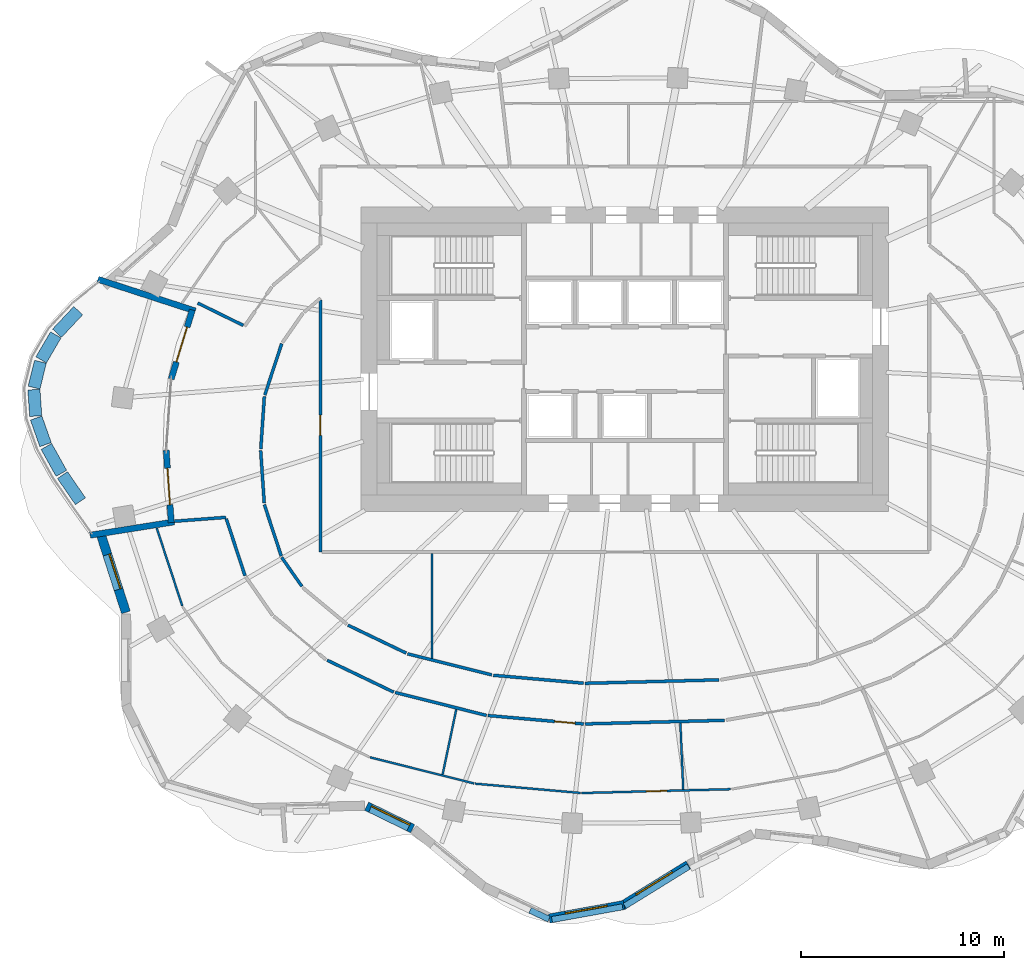
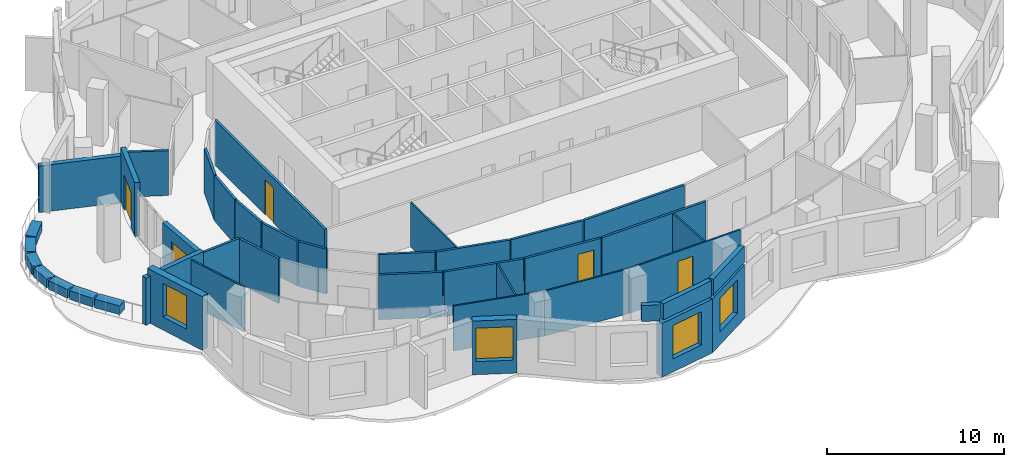
# One storey, part 5 of 13: 42 walls, 5 doors, 4 windows, 9 openings.
"""IFC4 building model written with IfcOpenShell, lengths in metres."""

from ifc_helpers import new_model, si_unit, direction, frame, frame_2d, origin, place, context, subcontext, project, spatial, rectangle, extrude, material, layer, layer_set, type_object, element, fill, save


model = new_model("IFC4")

# Units and contexts
model_context = context("Model", 3, precision=1e-05, world=origin(), true_north=direction((0.0, 1.0)))
body_context = subcontext(model_context, "Body", "Model", "MODEL_VIEW")
ifc_project = project(units=[si_unit("LENGTHUNIT", "METRE"), si_unit("AREAUNIT", "SQUARE_METRE"), si_unit("VOLUMEUNIT", "CUBIC_METRE"), si_unit("PLANEANGLEUNIT", "RADIAN"), si_unit("MASSUNIT", "GRAM", prefix="KILO")], contexts=[model_context])

# Site, building, storey
site_placement = place(None, origin())
site = spatial("IfcSite", under=ifc_project, at=site_placement, CompositionType="ELEMENT")
building_placement = place(site_placement, origin())
building = spatial("IfcBuilding", under=site, at=building_placement, Name="Rubra Terraces Tower", CompositionType="ELEMENT")
storey_placement = place(building_placement, frame((0.0, 0.0, 209.10009765625)))
storey = spatial("IfcBuildingStorey", under=building, at=storey_placement, Name="L51", CompositionType="ELEMENT", Elevation=209.10009765625)

# Wall, opening, window
ifc_material_1 = material(Name="Brick masonry red-brown", Category="masonry")
ifc_layer_1 = layer(ifc_material_1, 0.449951171875)
ifc_layer_set_1 = layer_set([ifc_layer_1], Name="Brick masonry red-brown")
wall_type_1 = type_object("IfcWallType", Name="Brick facade wall 450", PredefinedType="SOLIDWALL", material=ifc_layer_set_1)
wall_1_placement = place(storey_placement, frame((-25.861572265625, -3.997314453125, 0.0), z_axis=(0.0, 0.0, 1.0), x_axis=(0.305689476587, -0.952131264009, 0.0)))
wall_1 = element("IfcWall", 1, at=wall_1_placement, inside=storey, type_object=wall_type_1, Name="Facade wall L51 bay 22", PredefinedType="SOLIDWALL", context=body_context, shape_type="SweptSolid", body=[
    extrude(rectangle(XDim=4.177734375, YDim=0.449951171875, at=frame_2d((2.0888671875, 0.0))), origin(), (0.0, 0.0, 1.0), 3.699951171875),
])
opening_1_placement = place(wall_1_placement, frame((1.188720703125, 0.0, 0.89990234375)))
opening_1 = element("IfcOpeningElement", 2, at=opening_1_placement, cuts=wall_1, Name="Opening W6B", PredefinedType="OPENING", context=body_context, shape_type="SweptSolid", body=[
    extrude(rectangle(XDim=1.800048828125, YDim=2.300048828125, at=frame_2d((0.89990234375, 1.14990234375))), frame((0.0, 0.23486328125, 0.0), z_axis=(0.0, -1.0, 0.0), x_axis=(1.0, 0.0, 0.0)), (0.0, 0.0, 1.0), 0.469970703125),
])
ifc_material_2 = material(Name="Clear glass in aluminium frame", Category="aluminium")
window_type_1 = type_object("IfcWindowType", Name="Fixed deep-set window at wind fin tall storey 1800 x 2300", PartitioningType="SINGLE_PANEL", PredefinedType="WINDOW", material=ifc_material_2)
window_1_placement = place(opening_1_placement, origin())
window_1 = element("IfcWindow", 3, at=window_1_placement, inside=storey, type_object=window_type_1, Name="Window L51 bay 22", OverallHeight=2.300048828125, OverallWidth=1.800048828125, PartitioningType="SINGLE_PANEL", PredefinedType="WINDOW", context=body_context, shape_type="SweptSolid", body=[
    extrude(rectangle(XDim=1.800048828125, YDim=2.300048828125, at=frame_2d((0.89990234375, 1.14990234375))), frame((0.0, 0.135009765625, 0.0), z_axis=(0.0, -1.0, 0.0), x_axis=(1.0, 0.0, 0.0)), (0.0, 0.0, 1.0), 0.06005859375),
])
fill(opening_1, window_1)

wall_2_placement = place(storey_placement, frame((-12.718994140625, -17.52587890625, 0.0), z_axis=(0.0, 0.0, 1.0), x_axis=(0.898643806462, -0.438679050226, 0.0)))
wall_2 = element("IfcWall", 4, at=wall_2_placement, inside=storey, type_object=wall_type_1, Name="Facade wall L51 bay 27", PredefinedType="SOLIDWALL", context=body_context, shape_type="SweptSolid", body=[
    extrude(rectangle(XDim=2.5234375, YDim=0.449951171875, at=frame_2d((1.26171875, 0.0))), origin(), (0.0, 0.0, 1.0), 3.699951171875),
])
opening_2_placement = place(wall_2_placement, frame((0.2119140625, 0.0, 0.89990234375)))
opening_2 = element("IfcOpeningElement", 5, at=opening_2_placement, cuts=wall_2, Name="Opening W1B", PredefinedType="OPENING", context=body_context, shape_type="SweptSolid", body=[
    extrude(rectangle(XDim=2.10009765625, YDim=2.300048828125, at=frame_2d((1.050048828125, 1.14990234375))), frame((0.0, 0.23486328125, 0.0), z_axis=(0.0, -1.0, 0.0), x_axis=(1.0, 0.0, 0.0)), (0.0, 0.0, 1.0), 0.469970703125),
])
window_type_2 = type_object("IfcWindowType", Name="Fixed deep-set window tall storey 2100 x 2300", PartitioningType="SINGLE_PANEL", PredefinedType="WINDOW", material=ifc_material_2)
window_2_placement = place(opening_2_placement, origin())
window_2 = element("IfcWindow", 6, at=window_2_placement, inside=storey, type_object=window_type_2, Name="Window L51 bay 27", OverallHeight=2.300048828125, OverallWidth=2.10009765625, PartitioningType="SINGLE_PANEL", PredefinedType="WINDOW", context=body_context, shape_type="SweptSolid", body=[
    extrude(rectangle(XDim=2.10009765625, YDim=2.300048828125, at=frame_2d((1.050048828125, 1.14990234375))), frame((0.0, 0.135009765625, 0.0), z_axis=(0.0, -1.0, 0.0), x_axis=(1.0, 0.0, 0.0)), (0.0, 0.0, 1.0), 0.06005859375),
])
fill(opening_2, window_2)

wall_3_placement = place(storey_placement, frame((-3.726806640625, -23.060546875, 0.0), z_axis=(0.0, 0.0, 1.0), x_axis=(0.984119180424, 0.177508982087, 0.0)))
wall_3 = element("IfcWall", 7, at=wall_3_placement, inside=storey, type_object=wall_type_1, Name="Facade wall L51 bay 30", PredefinedType="SOLIDWALL", context=body_context, shape_type="SweptSolid", body=[
    extrude(rectangle(XDim=3.74658203125, YDim=0.449951171875, at=frame_2d((1.873291015625, 0.0))), origin(), (0.0, 0.0, 1.0), 3.699951171875),
])
opening_3_placement = place(wall_3_placement, frame((0.8232421875, 0.0, 0.89990234375)))
opening_3 = element("IfcOpeningElement", 8, at=opening_3_placement, cuts=wall_3, Name="Opening W1B", PredefinedType="OPENING", context=body_context, shape_type="SweptSolid", body=[
    extrude(rectangle(XDim=2.10009765625, YDim=2.300048828125, at=frame_2d((1.050048828125, 1.14990234375))), frame((0.0, 0.23486328125, 0.0), z_axis=(0.0, -1.0, 0.0), x_axis=(1.0, 0.0, 0.0)), (0.0, 0.0, 1.0), 0.469970703125),
])
window_3_placement = place(opening_3_placement, origin())
window_3 = element("IfcWindow", 9, at=window_3_placement, inside=storey, type_object=window_type_2, Name="Window L51 bay 30", OverallHeight=2.300048828125, OverallWidth=2.10009765625, PartitioningType="SINGLE_PANEL", PredefinedType="WINDOW", context=body_context, shape_type="SweptSolid", body=[
    extrude(rectangle(XDim=2.10009765625, YDim=2.300048828125, at=frame_2d((1.050048828125, 1.14990234375))), frame((0.0, 0.135009765625, 0.0), z_axis=(0.0, -1.0, 0.0), x_axis=(1.0, 0.0, 0.0)), (0.0, 0.0, 1.0), 0.06005859375),
])
fill(opening_3, window_3)

wall_4_placement = place(storey_placement, frame((-0.114990234375, -22.423583984375, 0.0), z_axis=(0.0, 0.0, 1.0), x_axis=(0.8506970368, 0.525656305564, 0.0)))
wall_4 = element("IfcWall", 10, at=wall_4_placement, inside=storey, type_object=wall_type_1, Name="Facade wall L51 bay 31", PredefinedType="SOLIDWALL", context=body_context, shape_type="SweptSolid", body=[
    extrude(rectangle(XDim=3.81640625, YDim=0.449951171875, at=frame_2d((1.908203125, 0.0))), origin(), (0.0, 0.0, 1.0), 3.699951171875),
])
opening_4_placement = place(wall_4_placement, frame((0.858154296875, 0.0, 0.89990234375)))
opening_4 = element("IfcOpeningElement", 11, at=opening_4_placement, cuts=wall_4, Name="Opening W1B", PredefinedType="OPENING", context=body_context, shape_type="SweptSolid", body=[
    extrude(rectangle(XDim=2.10009765625, YDim=2.300048828125, at=frame_2d((1.050048828125, 1.14990234375))), frame((0.0, 0.23486328125, 0.0), z_axis=(0.0, -1.0, 0.0), x_axis=(1.0, 0.0, 0.0)), (0.0, 0.0, 1.0), 0.469970703125),
])
window_4_placement = place(opening_4_placement, origin())
window_4 = element("IfcWindow", 12, at=window_4_placement, inside=storey, type_object=window_type_2, Name="Window L51 bay 31", OverallHeight=2.300048828125, OverallWidth=2.10009765625, PartitioningType="SINGLE_PANEL", PredefinedType="WINDOW", context=body_context, shape_type="SweptSolid", body=[
    extrude(rectangle(XDim=2.10009765625, YDim=2.300048828125, at=frame_2d((1.050048828125, 1.14990234375))), frame((0.0, 0.135009765625, 0.0), z_axis=(0.0, -1.0, 0.0), x_axis=(1.0, 0.0, 0.0)), (0.0, 0.0, 1.0), 0.06005859375),
])
fill(opening_4, window_4)

# Walls
ifc_layer_2 = layer(ifc_material_1, 0.300048828125)
ifc_layer_set_2 = layer_set([ifc_layer_2], Name="Brick masonry red-brown")
wall_type_2 = type_object("IfcWallType", Name="Brick parapet 300", PredefinedType="PARAPET", material=ifc_layer_set_2)
wall_5_placement = place(storey_placement, frame((-4.66650390625, -22.656005859375, 3.89990234375), z_axis=(0.0, 0.0, 1.0), x_axis=(0.905050240273, -0.425304670304, 0.0)))
element("IfcWall", 13, at=wall_5_placement, inside=storey, type_object=wall_type_2, Name="Parapet L51 bay 29", PredefinedType="PARAPET", context=body_context, shape_type="SweptSolid", body=[
    extrude(rectangle(XDim=1.02685546875, YDim=0.300048828125, at=frame_2d((0.513427734375, 0.0))), origin(), (0.0, 0.0, 1.0), 1.10009765625),
])
wall_6_placement = place(storey_placement, frame((-3.58984375, -23.112060546875, 3.89990234375), z_axis=(0.0, 0.0, 1.0), x_axis=(0.984124248147, 0.177480884064, 0.0)))
element("IfcWall", 14, at=wall_6_placement, inside=storey, type_object=wall_type_2, Name="Parapet L51 bay 30", PredefinedType="PARAPET", context=body_context, shape_type="SweptSolid", body=[
    extrude(rectangle(XDim=3.533935546875, YDim=0.300048828125, at=frame_2d((1.76708984375, 0.0))), origin(), (0.0, 0.0, 1.0), 1.10009765625),
])
wall_7_placement = place(storey_placement, frame((-0.0048828125, -22.443603515625, 3.89990234375), z_axis=(0.0, 0.0, 1.0), x_axis=(0.850710394144, 0.525634688063, 0.0)))
element("IfcWall", 15, at=wall_7_placement, inside=storey, type_object=wall_type_2, Name="Parapet L51 bay 31", PredefinedType="PARAPET", context=body_context, shape_type="SweptSolid", body=[
    extrude(rectangle(XDim=3.701904296875, YDim=0.300048828125, at=frame_2d((1.85107421875, 0.0))), origin(), (0.0, 0.0, 1.0), 1.10009765625),
])
ifc_material_3 = material(Name="Plasterboard on steel stud, mineral wool infill", Category="steel")
ifc_layer_3 = layer(ifc_material_3, 0.14990234375)
ifc_layer_set_3 = layer_set([ifc_layer_3], Name="Plasterboard on steel stud, mineral wool infill")
wall_type_3 = type_object("IfcWallType", Name="CORRIDOR PARTITION 150", PredefinedType="PARTITIONING", material=ifc_layer_set_3)
wall_8_placement = place(storey_placement, frame((-21.044677734375, 7.265869140625, 0.0), z_axis=(0.0, 0.0, 1.0), x_axis=(0.897699172042, -0.440608892915, 0.0)))
element("IfcWall", 16, at=wall_8_placement, inside=storey, type_object=wall_type_3, Name="PARTITION", PredefinedType="PARTITIONING", context=body_context, shape_type="SweptSolid", body=[
    extrude(rectangle(XDim=2.50341796875, YDim=0.14990234375, at=frame_2d((1.251708984375, 0.0))), origin(), (0.0, 0.0, 1.0), 3.083984375),
])
wall_9_placement = place(storey_placement, frame((-22.19384765625, -3.485595703125, 0.0), z_axis=(0.0, 0.0, 1.0), x_axis=(0.997179204952, 0.075057532678, 0.0)))
element("IfcWall", 17, at=wall_9_placement, inside=storey, type_object=wall_type_3, Name="PARTITION", PredefinedType="PARTITIONING", context=body_context, shape_type="SweptSolid", body=[
    extrude(rectangle(XDim=2.540283203125, YDim=0.14990234375, at=frame_2d((1.27001953125, 0.0))), origin(), (0.0, 0.0, 1.0), 3.083984375),
])
wall_10_placement = place(storey_placement, frame((-19.63720703125, -3.3662109375, 0.0), z_axis=(0.0, 0.0, 1.0), x_axis=(0.311881277787, -0.950121081003, 0.0)))
element("IfcWall", 18, at=wall_10_placement, inside=storey, type_object=wall_type_3, Name="PARTITION", PredefinedType="PARTITIONING", context=body_context, shape_type="SweptSolid", body=[
    extrude(rectangle(XDim=2.951171875, YDim=0.14990234375, at=frame_2d((1.4755859375, 0.0))), origin(), (0.0, 0.0, 1.0), 3.083984375),
])
wall_11_placement = place(storey_placement, frame((-14.664306640625, -10.333984375, 0.0), z_axis=(0.0, 0.0, 1.0), x_axis=(0.901507315282, -0.432763862278, 0.0)))
element("IfcWall", 19, at=wall_11_placement, inside=storey, type_object=wall_type_3, Name="PARTITION", PredefinedType="PARTITIONING", context=body_context, shape_type="SweptSolid", body=[
    extrude(rectangle(XDim=3.63037109375, YDim=0.14990234375, at=frame_2d((1.815185546875, 0.0))), origin(), (0.0, 0.0, 1.0), 3.083984375),
])
wall_12_placement = place(storey_placement, frame((-11.318603515625, -11.923095703125, 0.0), z_axis=(0.0, 0.0, 1.0), x_axis=(0.969990815038, -0.243141561114, 0.0)))
element("IfcWall", 20, at=wall_12_placement, inside=storey, type_object=wall_type_3, Name="PARTITION", PredefinedType="PARTITIONING", context=body_context, shape_type="SweptSolid", body=[
    extrude(rectangle(XDim=4.64501953125, YDim=0.14990234375, at=frame_2d((2.322509765625, 0.0))), origin(), (0.0, 0.0, 1.0), 3.083984375),
])

# Wall, opening, door
wall_13_placement = place(storey_placement, frame((-6.73828125, -13.05908203125, 0.0), z_axis=(0.0, 0.0, 1.0), x_axis=(0.996143527037, -0.087738666181, 0.0)))
wall_13 = element("IfcWall", 21, at=wall_13_placement, inside=storey, type_object=wall_type_3, Name="PARTITION", PredefinedType="PARTITIONING", context=body_context, shape_type="SweptSolid", body=[
    extrude(rectangle(XDim=4.73046875, YDim=0.14990234375, at=frame_2d((2.365234375, 0.0))), origin(), (0.0, 0.0, 1.0), 3.083984375),
])
opening_5_placement = place(wall_13_placement, frame((3.300048828125, 0.0, 0.0)))
opening_5 = element("IfcOpeningElement", 22, at=opening_5_placement, cuts=wall_13, Name="Opening 51-105", PredefinedType="OPENING", context=body_context, shape_type="SweptSolid", body=[
    extrude(rectangle(XDim=1.0, YDim=2.39990234375, at=frame_2d((0.5, 1.199951171875))), frame((0.0, 0.0849609375, 0.0), z_axis=(0.0, -1.0, 0.0), x_axis=(1.0, 0.0, 0.0)), (0.0, 0.0, 1.0), 0.169921875),
])
ifc_material_4 = material(Name="Glazed aluminium meeting door leaf", Category="aluminium")
door_type_1 = type_object("IfcDoorType", Name="MEETING ROOM GLAZED DOOR 1000 X 2400", OperationType="SINGLE_SWING_LEFT", PredefinedType="DOOR", material=ifc_material_4)
door_1_placement = place(opening_5_placement, origin())
door_1 = element("IfcDoor", 23, at=door_1_placement, inside=storey, type_object=door_type_1, Name="DOOR 51-105", OperationType="SINGLE_SWING_RIGHT", OverallHeight=2.39990234375, OverallWidth=1.0, PredefinedType="DOOR", context=body_context, shape_type="SweptSolid", body=[
    extrude(rectangle(XDim=1.0, YDim=2.39990234375, at=frame_2d((0.5, 1.199951171875))), frame((0.0, 0.02490234375, 0.0), z_axis=(0.0, -1.0, 0.0), x_axis=(1.0, 0.0, 0.0)), (0.0, 0.0, 1.0), 0.050048828125),
])
fill(opening_5, door_1)

# Walls
wall_14_placement = place(storey_placement, frame((-1.951171875, -13.472412109375, 0.0), z_axis=(0.0, 0.0, 1.0), x_axis=(0.999663898238, 0.025924709429, 0.0)))
element("IfcWall", 24, at=wall_14_placement, inside=storey, type_object=wall_type_3, Name="PARTITION", PredefinedType="PARTITIONING", context=body_context, shape_type="SweptSolid", body=[
    extrude(rectangle(XDim=6.87451171875, YDim=0.14990234375, at=frame_2d((3.437255859375, 0.0))), origin(), (0.0, 0.0, 1.0), 3.083984375),
])
wall_15_placement = place(storey_placement, frame((4.64453125, -11.30078125, 0.0), z_axis=(0.0, 0.0, 1.0), x_axis=(-0.9996648469, -0.02588810291, 0.0)))
element("IfcWall", 25, at=wall_15_placement, inside=storey, type_object=wall_type_3, Name="PARTITION", PredefinedType="PARTITIONING", context=body_context, shape_type="SweptSolid", body=[
    extrude(rectangle(XDim=6.61083984375, YDim=0.14990234375, at=frame_2d((3.305419921875, 0.0))), origin(), (0.0, 0.0, 1.0), 3.083984375),
])
wall_16_placement = place(storey_placement, frame((-2.038818359375, -11.46533203125, 0.0), z_axis=(0.0, 0.0, 1.0), x_axis=(-0.996139855484, 0.087780341286, 0.0)))
element("IfcWall", 26, at=wall_16_placement, inside=storey, type_object=wall_type_3, Name="PARTITION", PredefinedType="PARTITIONING", context=body_context, shape_type="SweptSolid", body=[
    extrude(rectangle(XDim=4.458251953125, YDim=0.14990234375, at=frame_2d((2.22900390625, 0.0))), origin(), (0.0, 0.0, 1.0), 3.083984375),
])
wall_17_placement = place(storey_placement, frame((-6.552734375, -11.055908203125, 0.0), z_axis=(0.0, 0.0, 1.0), x_axis=(-0.970004917182, 0.243085294995, 0.0)))
element("IfcWall", 27, at=wall_17_placement, inside=storey, type_object=wall_type_3, Name="PARTITION", PredefinedType="PARTITIONING", context=body_context, shape_type="SweptSolid", body=[
    extrude(rectangle(XDim=4.284423828125, YDim=0.14990234375, at=frame_2d((2.14208984375, 0.0))), origin(), (0.0, 0.0, 1.0), 3.083984375),
])
wall_18_placement = place(storey_placement, frame((-10.7763671875, -9.981689453125, 0.0), z_axis=(0.0, 0.0, 1.0), x_axis=(-0.901511079436, 0.432756020933, 0.0)))
element("IfcWall", 28, at=wall_18_placement, inside=storey, type_object=wall_type_3, Name="PARTITION", PredefinedType="PARTITIONING", context=body_context, shape_type="SweptSolid", body=[
    extrude(rectangle(XDim=3.1806640625, YDim=0.14990234375, at=frame_2d((1.59033203125, 0.0))), origin(), (0.0, 0.0, 1.0), 3.083984375),
])
wall_19_placement = place(storey_placement, frame((-15.911865234375, -6.695556640625, 0.0), z_axis=(0.0, 0.0, 1.0), x_axis=(-0.572078533763, 0.820198848578, 0.0)))
element("IfcWall", 29, at=wall_19_placement, inside=storey, type_object=wall_type_3, Name="PARTITION", PredefinedType="PARTITIONING", context=body_context, shape_type="SweptSolid", body=[
    extrude(rectangle(XDim=1.74169921875, YDim=0.14990234375, at=frame_2d((0.870849609375, 0.0))), origin(), (0.0, 0.0, 1.0), 3.083984375),
])
wall_20_placement = place(storey_placement, frame((-16.931640625, -5.19580078125, 0.0), z_axis=(0.0, 0.0, 1.0), x_axis=(-0.311904957484, 0.950113307715, 0.0)))
element("IfcWall", 30, at=wall_20_placement, inside=storey, type_object=wall_type_3, Name="PARTITION", PredefinedType="PARTITIONING", context=body_context, shape_type="SweptSolid", body=[
    extrude(rectangle(XDim=2.662109375, YDim=0.14990234375, at=frame_2d((1.3310546875, 0.0))), origin(), (0.0, 0.0, 1.0), 3.083984375),
])
wall_21_placement = place(storey_placement, frame((-17.76708984375, -2.591552734375, 0.0), z_axis=(0.0, 0.0, 1.0), x_axis=(-0.068140828228, 0.997675712608, 0.0)))
element("IfcWall", 31, at=wall_21_placement, inside=storey, type_object=wall_type_3, Name="PARTITION", PredefinedType="PARTITIONING", context=body_context, shape_type="SweptSolid", body=[
    extrude(rectangle(XDim=2.59765625, YDim=0.14990234375, at=frame_2d((1.298828125, 0.0))), origin(), (0.0, 0.0, 1.0), 3.083984375),
])
wall_22_placement = place(storey_placement, frame((-17.939208984375, 0.07470703125, 0.0), z_axis=(0.0, 0.0, 1.0), x_axis=(0.068227980697, 0.997669756307, 0.0)))
element("IfcWall", 32, at=wall_22_placement, inside=storey, type_object=wall_type_3, Name="PARTITION", PredefinedType="PARTITIONING", context=body_context, shape_type="SweptSolid", body=[
    extrude(rectangle(XDim=2.597900390625, YDim=0.14990234375, at=frame_2d((1.298828125, 0.0))), origin(), (0.0, 0.0, 1.0), 3.083984375),
])
wall_23_placement = place(storey_placement, frame((-17.738525390625, 2.73779296875, 0.0), z_axis=(0.0, 0.0, 1.0), x_axis=(0.311904957484, 0.950113307715, 0.0)))
element("IfcWall", 33, at=wall_23_placement, inside=storey, type_object=wall_type_3, Name="PARTITION", PredefinedType="PARTITIONING", context=body_context, shape_type="SweptSolid", body=[
    extrude(rectangle(XDim=2.662109375, YDim=0.14990234375, at=frame_2d((1.3310546875, 0.0))), origin(), (0.0, 0.0, 1.0), 3.083984375),
])

# Wall, opening, door
wall_24_placement = place(storey_placement, frame((-15.0, 7.423095703125, 0.0), z_axis=(0.0, 0.0, 1.0), x_axis=(0.0, -1.0, 0.0)))
wall_24 = element("IfcWall", 34, at=wall_24_placement, inside=storey, type_object=wall_type_3, Name="PARTITION", PredefinedType="PARTITIONING", context=body_context, shape_type="SweptSolid", body=[
    extrude(rectangle(XDim=12.423095703125, YDim=0.14990234375, at=frame_2d((6.21142578125, 0.0))), origin(), (0.0, 0.0, 1.0), 3.083984375),
])
opening_6_placement = place(wall_24_placement, frame((5.674072265625, 0.0, 0.0)))
opening_6 = element("IfcOpeningElement", 35, at=opening_6_placement, cuts=wall_24, Name="Opening 51-120", PredefinedType="OPENING", context=body_context, shape_type="SweptSolid", body=[
    extrude(rectangle(XDim=1.0, YDim=2.39990234375, at=frame_2d((0.5, 1.199951171875))), frame((0.0, 0.0849609375, 0.0), z_axis=(0.0, -1.0, 0.0), x_axis=(1.0, 0.0, 0.0)), (0.0, 0.0, 1.0), 0.169921875),
])
door_2_placement = place(opening_6_placement, origin())
door_2 = element("IfcDoor", 36, at=door_2_placement, inside=storey, type_object=door_type_1, Name="DOOR 51-120", OperationType="SINGLE_SWING_RIGHT", OverallHeight=2.39990234375, OverallWidth=1.0, PredefinedType="DOOR", context=body_context, shape_type="SweptSolid", body=[
    extrude(rectangle(XDim=1.0, YDim=2.39990234375, at=frame_2d((0.5, 1.199951171875))), frame((0.0, 0.02490234375, 0.0), z_axis=(0.0, -1.0, 0.0), x_axis=(1.0, 0.0, 0.0)), (0.0, 0.0, 1.0), 0.050048828125),
])
fill(opening_6, door_2)

ifc_material_5 = material(Name="Brick masonry with ochre lime render", Category="masonry")
ifc_layer_4 = layer(ifc_material_5, 0.300048828125)
ifc_layer_set_4 = layer_set([ifc_layer_4], Name="Brick masonry with ochre lime render")
wall_type_4 = type_object("IfcWallType", Name="Ochre rendered brick wall 300", PredefinedType="SOLIDWALL", material=ifc_layer_set_4)
wall_25_placement = place(storey_placement, frame((-22.600341796875, 0.010498046875, 0.0), z_axis=(0.0, 0.0, 1.0), x_axis=(0.070246642253, -0.99752965332, 0.0)))
wall_25 = element("IfcWall", 37, at=wall_25_placement, inside=storey, type_object=wall_type_4, Name="Terrace wall L51 bay 21", PredefinedType="SOLIDWALL", context=body_context, shape_type="SweptSolid", body=[
    extrude(rectangle(XDim=3.57275390625, YDim=0.300048828125, at=frame_2d((1.786376953125, 0.0))), origin(), (0.0, 0.0, 1.0), 3.203857421875),
])
opening_7_placement = place(wall_25_placement, frame((0.886474609375, 0.0, 0.0)))
opening_7 = element("IfcOpeningElement", 38, at=opening_7_placement, cuts=wall_25, Name="Opening T51.2", PredefinedType="OPENING", context=body_context, shape_type="SweptSolid", body=[
    extrude(rectangle(XDim=1.800048828125, YDim=2.39990234375, at=frame_2d((0.89990234375, 1.199951171875))), frame((0.0, 0.159912109375, 0.0), z_axis=(0.0, -1.0, 0.0), x_axis=(1.0, 0.0, 0.0)), (0.0, 0.0, 1.0), 0.320068359375),
])
ifc_material_6 = material(Name="Glazed aluminium door leaf", Category="aluminium")
door_type_2 = type_object("IfcDoorType", Name="Terrace double door 1800 x 2400", OperationType="DOUBLE_DOOR_DOUBLE_SWING", PredefinedType="DOOR", material=ifc_material_6)
door_3_placement = place(opening_7_placement, origin())
door_3 = element("IfcDoor", 39, at=door_3_placement, inside=storey, type_object=door_type_2, Name="Terrace door L51.2", OperationType="DOUBLE_DOOR_DOUBLE_SWING", OverallHeight=2.39990234375, OverallWidth=1.800048828125, PredefinedType="DOOR", context=body_context, shape_type="SweptSolid", body=[
    extrude(rectangle(XDim=1.800048828125, YDim=2.39990234375, at=frame_2d((0.89990234375, 1.199951171875))), frame((0.0, 0.02490234375, 0.0), z_axis=(0.0, -1.0, 0.0), x_axis=(1.0, 0.0, 0.0)), (0.0, 0.0, 1.0), 0.050048828125),
])
fill(opening_7, door_3)

# Wall
wall_26_placement = place(storey_placement, frame((-25.9599609375, 8.43505859375, 0.0), z_axis=(0.0, 0.0, 1.0), x_axis=(0.95101163548, -0.309155089205, 0.0)))
element("IfcWall", 40, at=wall_26_placement, inside=storey, type_object=wall_type_4, Name="Terrace side wall L51.1", PredefinedType="SOLIDWALL", context=body_context, shape_type="SweptSolid", body=[
    extrude(rectangle(XDim=5.0390625, YDim=0.300048828125, at=frame_2d((2.51953125, 0.0))), origin(), (0.0, 0.0, 1.0), 3.203857421875),
])

# Wall, opening, door
ifc_layer_5 = layer(ifc_material_5, 0.300048828125)
ifc_layer_set_5 = layer_set([ifc_layer_5], Name="Brick masonry with ochre lime render")
wall_type_5 = type_object("IfcWallType", Name="Ochre rendered brick wall 300, head to beam soffit B", PredefinedType="SOLIDWALL", material=ifc_layer_set_5)
wall_27_placement = place(storey_placement, frame((-21.3095703125, 6.926025390625, 0.0), z_axis=(0.0, 0.0, 1.0), x_axis=(-0.293609133774, -0.955925560159, 0.0)))
wall_27 = element("IfcWall", 41, at=wall_27_placement, inside=storey, type_object=wall_type_5, Name="Terrace wall L51 bay 19", PredefinedType="SOLIDWALL", context=body_context, shape_type="SweptSolid", body=[
    extrude(rectangle(XDim=3.56298828125, YDim=0.300048828125, at=frame_2d((1.781494140625, 0.0))), origin(), (0.0, 0.0, 1.0), 3.699951171875),
])
opening_8_placement = place(wall_27_placement, frame((0.881591796875, 0.0, 0.0)))
opening_8 = element("IfcOpeningElement", 42, at=opening_8_placement, cuts=wall_27, Name="Opening T51.1", PredefinedType="OPENING", context=body_context, shape_type="SweptSolid", body=[
    extrude(rectangle(XDim=1.800048828125, YDim=2.39990234375, at=frame_2d((0.89990234375, 1.199951171875))), frame((0.0, 0.159912109375, 0.0), z_axis=(0.0, -1.0, 0.0), x_axis=(1.0, 0.0, 0.0)), (0.0, 0.0, 1.0), 0.320068359375),
])
door_4_placement = place(opening_8_placement, origin())
door_4 = element("IfcDoor", 43, at=door_4_placement, inside=storey, type_object=door_type_2, Name="Terrace door L51.1", OperationType="DOUBLE_DOOR_DOUBLE_SWING", OverallHeight=2.39990234375, OverallWidth=1.800048828125, PredefinedType="DOOR", context=body_context, shape_type="SweptSolid", body=[
    extrude(rectangle(XDim=1.800048828125, YDim=2.39990234375, at=frame_2d((0.89990234375, 1.199951171875))), frame((0.0, 0.02490234375, 0.0), z_axis=(0.0, -1.0, 0.0), x_axis=(1.0, 0.0, 0.0)), (0.0, 0.0, 1.0), 0.050048828125),
])
fill(opening_8, door_4)

# Walls
ifc_layer_6 = layer(ifc_material_5, 0.300048828125)
ifc_layer_set_6 = layer_set([ifc_layer_6], Name="Brick masonry with ochre lime render")
wall_type_6 = type_object("IfcWallType", Name="Ochre rendered brick wall 300, head to beam soffit C", PredefinedType="SOLIDWALL", material=ifc_layer_set_6)
wall_28_placement = place(storey_placement, frame((-26.34912109375, -4.173095703125, 0.0), z_axis=(0.0, 0.0, 1.0), x_axis=(0.987715294528, 0.156264189614, 0.0)))
element("IfcWall", 44, at=wall_28_placement, inside=storey, type_object=wall_type_6, Name="Terrace side wall L51.2", PredefinedType="SOLIDWALL", context=body_context, shape_type="SweptSolid", body=[
    extrude(rectangle(XDim=4.197998046875, YDim=0.300048828125, at=frame_2d((2.09912109375, 0.0))), origin(), (0.0, 0.0, 1.0), 3.25390625),
])
ifc_layer_7 = layer(ifc_material_5, 0.60009765625)
ifc_layer_set_7 = layer_set([ifc_layer_7], Name="Brick masonry with ochre lime render")
wall_type_7 = type_object("IfcWallType", Name="Planter box 600", PredefinedType="SOLIDWALL", material=ifc_layer_set_7)
wall_29_placement = place(storey_placement, frame((-26.934814453125, 6.89208984375, 0.0), z_axis=(0.0, 0.0, 1.0), x_axis=(-0.684291975363, -0.729208126981, 0.0)))
element("IfcWall", 45, at=wall_29_placement, inside=storey, type_object=wall_type_7, Name="Planter L51.2", PredefinedType="SOLIDWALL", context=body_context, shape_type="SweptSolid", body=[
    extrude(rectangle(XDim=1.52734375, YDim=0.60009765625, at=frame_2d((0.763671875, 0.0))), origin(), (0.0, 0.0, 1.0), 0.599853515625),
])
wall_30_placement = place(storey_placement, frame((-28.03955078125, 5.698486328125, 0.0), z_axis=(0.0, 0.0, 1.0), x_axis=(-0.504880910634, -0.863189009475, 0.0)))
element("IfcWall", 46, at=wall_30_placement, inside=storey, type_object=wall_type_7, Name="Planter L51.3", PredefinedType="SOLIDWALL", context=body_context, shape_type="SweptSolid", body=[
    extrude(rectangle(XDim=1.427490234375, YDim=0.60009765625, at=frame_2d((0.7138671875, 0.0))), origin(), (0.0, 0.0, 1.0), 0.599853515625),
])
wall_31_placement = place(storey_placement, frame((-28.79736328125, 4.37451171875, 0.0), z_axis=(0.0, 0.0, 1.0), x_axis=(-0.238115664408, -0.971236804473, 0.0)))
element("IfcWall", 47, at=wall_31_placement, inside=storey, type_object=wall_type_7, Name="Planter L51.4", PredefinedType="SOLIDWALL", context=body_context, shape_type="SweptSolid", body=[
    extrude(rectangle(XDim=1.3134765625, YDim=0.60009765625, at=frame_2d((0.65673828125, 0.0))), origin(), (0.0, 0.0, 1.0), 0.599853515625),
])
wall_32_placement = place(storey_placement, frame((-29.118408203125, 3.00048828125, 0.0), z_axis=(0.0, 0.0, 1.0), x_axis=(0.070251176174, -0.997529334028, 0.0)))
element("IfcWall", 48, at=wall_32_placement, inside=storey, type_object=wall_type_7, Name="Planter L51.5", PredefinedType="SOLIDWALL", context=body_context, shape_type="SweptSolid", body=[
    extrude(rectangle(XDim=1.306640625, YDim=0.60009765625, at=frame_2d((0.6533203125, 0.0))), origin(), (0.0, 0.0, 1.0), 0.599853515625),
])
wall_33_placement = place(storey_placement, frame((-29.00634765625, 1.60009765625, 0.0), z_axis=(0.0, 0.0, 1.0), x_axis=(0.333059262574, -0.942905895418, 0.0)))
element("IfcWall", 49, at=wall_33_placement, inside=storey, type_object=wall_type_7, Name="Planter L51.6", PredefinedType="SOLIDWALL", context=body_context, shape_type="SweptSolid", body=[
    extrude(rectangle(XDim=1.388427734375, YDim=0.60009765625, at=frame_2d((0.6943359375, 0.0))), origin(), (0.0, 0.0, 1.0), 0.599853515625),
])
wall_34_placement = place(storey_placement, frame((-28.5029296875, 0.2001953125, 0.0), z_axis=(0.0, 0.0, 1.0), x_axis=(0.487309084613, -0.873229555188, 0.0)))
element("IfcWall", 50, at=wall_34_placement, inside=storey, type_object=wall_type_7, Name="Planter L51.7", PredefinedType="SOLIDWALL", context=body_context, shape_type="SweptSolid", body=[
    extrude(rectangle(XDim=1.51708984375, YDim=0.60009765625, at=frame_2d((0.758544921875, 0.0))), origin(), (0.0, 0.0, 1.0), 0.599853515625),
])
wall_35_placement = place(storey_placement, frame((-27.7109375, -1.20947265625, 0.0), z_axis=(0.0, 0.0, 1.0), x_axis=(0.566952508373, -0.823750479969, 0.0)))
element("IfcWall", 51, at=wall_35_placement, inside=storey, type_object=wall_type_7, Name="Planter L51.8", PredefinedType="SOLIDWALL", context=body_context, shape_type="SweptSolid", body=[
    extrude(rectangle(XDim=1.56494140625, YDim=0.60009765625, at=frame_2d((0.782470703125, 0.0))), origin(), (0.0, 0.0, 1.0), 0.599853515625),
])

# Wall, opening, door
ifc_material_7 = material(Name="Plasterboard on steel stud", Category="steel")
ifc_layer_8 = layer(ifc_material_7, 0.10009765625)
ifc_layer_set_8 = layer_set([ifc_layer_8], Name="Plasterboard on steel stud")
wall_type_8 = type_object("IfcWallType", Name="ROOM PARTITION 100", PredefinedType="PARTITIONING", material=ifc_layer_set_8)
wall_36_placement = place(storey_placement, frame((5.2138671875, -16.687744140625, 0.0), z_axis=(0.0, 0.0, 1.0), x_axis=(-0.999664981446, -0.025882906921, 0.0)))
wall_36 = element("IfcWall", 52, at=wall_36_placement, inside=storey, type_object=wall_type_8, Name="PARTITION", PredefinedType="PARTITIONING", context=body_context, shape_type="SweptSolid", body=[
    extrude(rectangle(XDim=7.347900390625, YDim=0.10009765625, at=frame_2d((3.673828125, 0.0))), origin(), (0.0, 0.0, 1.0), 3.083984375),
])
opening_9_placement = place(wall_36_placement, frame((3.14990234375, 0.0, 0.0)))
opening_9 = element("IfcOpeningElement", 53, at=opening_9_placement, cuts=wall_36, Name="Opening 51-123", PredefinedType="OPENING", context=body_context, shape_type="SweptSolid", body=[
    extrude(rectangle(XDim=1.0, YDim=2.39990234375, at=frame_2d((0.5, 1.199951171875))), frame((0.0, 0.06005859375, 0.0), z_axis=(0.0, -1.0, 0.0), x_axis=(1.0, 0.0, 0.0)), (0.0, 0.0, 1.0), 0.1201171875),
])
door_5_placement = place(opening_9_placement, origin())
door_5 = element("IfcDoor", 54, at=door_5_placement, inside=storey, type_object=door_type_1, Name="DOOR 51-123", OperationType="SINGLE_SWING_RIGHT", OverallHeight=2.39990234375, OverallWidth=1.0, PredefinedType="DOOR", context=body_context, shape_type="SweptSolid", body=[
    extrude(rectangle(XDim=1.0, YDim=2.39990234375, at=frame_2d((0.5, 1.199951171875))), frame((0.0, 0.02490234375, 0.0), z_axis=(0.0, -1.0, 0.0), x_axis=(1.0, 0.0, 0.0)), (0.0, 0.0, 1.0), 0.050048828125),
])
fill(opening_9, door_5)

# Walls
wall_37_placement = place(storey_placement, frame((-2.181396484375, -16.87353515625, 0.0), z_axis=(0.0, 0.0, 1.0), x_axis=(-0.996143934904, 0.087734035321, 0.0)))
element("IfcWall", 55, at=wall_37_placement, inside=storey, type_object=wall_type_8, Name="PARTITION", PredefinedType="PARTITIONING", context=body_context, shape_type="SweptSolid", body=[
    extrude(rectangle(XDim=5.217529296875, YDim=0.10009765625, at=frame_2d((2.60888671875, 0.0))), origin(), (0.0, 0.0, 1.0), 3.083984375),
])
wall_38_placement = place(storey_placement, frame((-7.427490234375, -16.403564453125, 0.0), z_axis=(0.0, 0.0, 1.0), x_axis=(-0.970009158253, 0.243068370845, 0.0)))
element("IfcWall", 56, at=wall_38_placement, inside=storey, type_object=wall_type_8, Name="PARTITION", PredefinedType="PARTITIONING", context=body_context, shape_type="SweptSolid", body=[
    extrude(rectangle(XDim=5.283203125, YDim=0.10009765625, at=frame_2d((2.6416015625, 0.0))), origin(), (0.0, 0.0, 1.0), 3.083984375),
])
wall_39_placement = place(storey_placement, frame((-21.806884765625, -7.657958984375, 0.0), z_axis=(0.0, 0.0, 1.0), x_axis=(-0.311895609154, 0.950116376551, 0.0)))
element("IfcWall", 57, at=wall_39_placement, inside=storey, type_object=wall_type_8, Name="PARTITION", PredefinedType="PARTITIONING", context=body_context, shape_type="SweptSolid", body=[
    extrude(rectangle(XDim=4.043701171875, YDim=0.10009765625, at=frame_2d((2.02197265625, 0.0))), origin(), (0.0, 0.0, 1.0), 3.083984375),
])
wall_40_placement = place(storey_placement, frame((-8.3056640625, -12.755615234375, 0.0), z_axis=(0.0, 0.0, 1.0), x_axis=(-0.205432339041, -0.978671320759, 0.0)))
element("IfcWall", 58, at=wall_40_placement, inside=storey, type_object=wall_type_8, Name="PARTITION", PredefinedType="PARTITIONING", context=body_context, shape_type="SweptSolid", body=[
    extrude(rectangle(XDim=3.277587890625, YDim=0.10009765625, at=frame_2d((1.638671875, 0.0))), origin(), (0.0, 0.0, 1.0), 3.083984375),
])
wall_41_placement = place(storey_placement, frame((2.73681640625, -13.42578125, 0.0), z_axis=(0.0, 0.0, 1.0), x_axis=(0.043081420795, -0.999071564595, 0.0)))
element("IfcWall", 59, at=wall_41_placement, inside=storey, type_object=wall_type_8, Name="PARTITION", PredefinedType="PARTITIONING", context=body_context, shape_type="SweptSolid", body=[
    extrude(rectangle(XDim=3.275390625, YDim=0.10009765625, at=frame_2d((1.6376953125, 0.0))), origin(), (0.0, 0.0, 1.0), 3.083984375),
])
wall_42_placement = place(storey_placement, frame((-9.5, -10.2421875, 0.0), z_axis=(0.0, 0.0, 1.0), x_axis=(0.0, 1.0, 0.0)))
element("IfcWall", 60, at=wall_42_placement, inside=storey, type_object=wall_type_8, Name="PARTITION", PredefinedType="PARTITIONING", context=body_context, shape_type="SweptSolid", body=[
    extrude(rectangle(XDim=5.167236328125, YDim=0.10009765625, at=frame_2d((2.58349609375, 0.0))), origin(), (0.0, 0.0, 1.0), 3.083984375),
])

save(model, "model.ifc")
